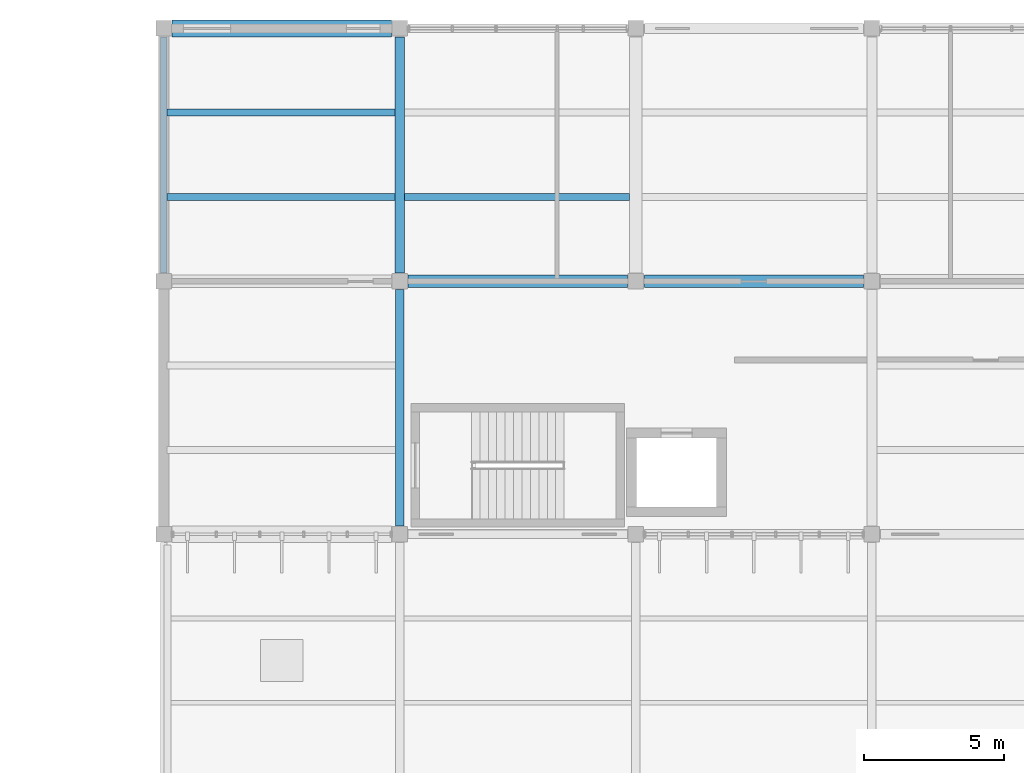
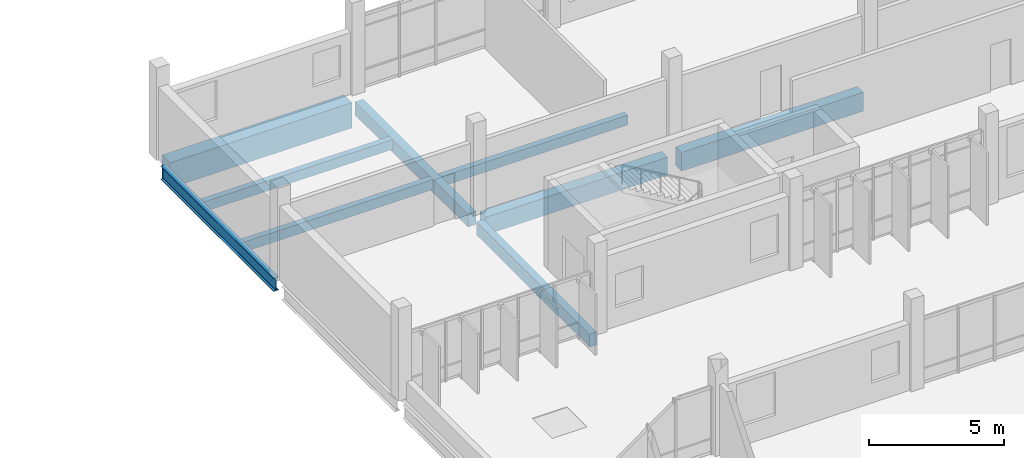
# One storey, part 59 of 130: 9 beams.
"""IFC4 building model written with IfcOpenShell, lengths in metres."""

from ifc_helpers import new_model, si_unit, direction, frame, origin, origin_2d, place, context, subcontext, project, spatial, rectangle, i_section, extrude, material, material_profile, profile_set, type_object, element, save


model = new_model("IFC4")

# Units and contexts
model_context = context("Model", 3, precision=1e-05, world=origin(), true_north=direction((0.0, 1.0)))
body_context = subcontext(model_context, "Body", "Model", "MODEL_VIEW")
ifc_project = project(units=[si_unit("LENGTHUNIT", "METRE"), si_unit("AREAUNIT", "SQUARE_METRE"), si_unit("VOLUMEUNIT", "CUBIC_METRE"), si_unit("PLANEANGLEUNIT", "RADIAN"), si_unit("MASSUNIT", "GRAM", prefix="KILO")], contexts=[model_context])

# Site, building, storey
site_placement = place(None, origin())
site = spatial("IfcSite", under=ifc_project, at=site_placement, CompositionType="ELEMENT")
building_placement = place(site_placement, origin())
building = spatial("IfcBuilding", under=site, at=building_placement, Name="Vireocrest Preparatory School", CompositionType="ELEMENT")
storey_placement = place(building_placement, frame((0.0, 0.0, 9.0)))
storey = spatial("IfcBuildingStorey", under=building, at=storey_placement, Name="L02", CompositionType="ELEMENT", Elevation=9.0)

# Beams
ifc_material_1 = material(Name="Structural steel ASTM A992 Grade 50", Category="steel")
ifc_material_profile_1 = material_profile(ifc_material_1, i_section(OverallWidth=0.22802734375, OverallDepth=0.60791015625, WebThickness=0.01123046875, FlangeThickness=0.017333984375, FilletRadius=0.01611328125, at=origin_2d()), Name="W24X76")
ifc_profile_set_1 = profile_set([ifc_material_profile_1], Name="Structural steel ASTM A992 Grade 50")
beam_type_1 = type_object("IfcBeamType", Name="Gallery Steel Girder W24X76", PredefinedType="BEAM", material=ifc_profile_set_1)
beam_1_placement = place(storey_placement, frame((42.0, 104.10009765625, -0.583984375), z_axis=(0.0, 1.0, 0.0), x_axis=(-1.0, 0.0, 0.0)))
element("IfcBeam", 1, at=beam_1_placement, inside=storey, type_object=beam_type_1, Name="Primary Girder SB3 L02-0797", PredefinedType="BEAM", context=body_context, shape_type="SweptSolid", body=[
    extrude(i_section(OverallWidth=0.22802734375, OverallDepth=0.60791015625, WebThickness=0.01123046875, FlangeThickness=0.017333984375, FilletRadius=0.01611328125, at=origin_2d()), origin(), (0.0, 0.0, 1.0), 8.39990234375),
])
ifc_material_2 = material(Name="Concrete 40 MPa", Category="concrete")
ifc_material_profile_2 = material_profile(ifc_material_2, rectangle(XDim=0.300048828125, YDim=0.60009765625, at=origin_2d()), Name="RC 300x600")
ifc_profile_set_2 = profile_set([ifc_material_profile_2], Name="Concrete 40 MPa")
beam_type_2 = type_object("IfcBeamType", Name="RC Classroom Beam 300x600", PredefinedType="BEAM", material=ifc_profile_set_2)
beam_2_placement = place(storey_placement, frame((50.39990234375, 95.10009765625, -0.580078125), z_axis=(0.0, 1.0, 0.0), x_axis=(-1.0, 0.0, 0.0)))
element("IfcBeam", 2, at=beam_2_placement, inside=storey, type_object=beam_type_2, Name="Primary Girder B03 L02-0806", PredefinedType="BEAM", context=body_context, shape_type="SweptSolid", body=[
    extrude(rectangle(XDim=0.300048828125, YDim=0.60009765625, at=origin_2d()), origin(), (0.0, 0.0, 1.0), 8.39990234375),
])
ifc_material_profile_3 = material_profile(ifc_material_2, rectangle(XDim=0.35009765625, YDim=0.60009765625, at=origin_2d()), Name="RC 350x600")
ifc_profile_set_3 = profile_set([ifc_material_profile_3], Name="Concrete 40 MPa")
beam_type_3 = type_object("IfcBeamType", Name="RC Classroom Girder 350x600", PredefinedType="BEAM", material=ifc_profile_set_3)
beam_3_placement = place(storey_placement, frame((50.39990234375, 104.10009765625, -0.580078125), z_axis=(0.0, 1.0, 0.0), x_axis=(-1.0, 0.0, 0.0)))
element("IfcBeam", 3, at=beam_3_placement, inside=storey, type_object=beam_type_3, Name="Primary Girder B04 L02-0807", PredefinedType="BEAM", context=body_context, shape_type="SweptSolid", body=[
    extrude(rectangle(XDim=0.35009765625, YDim=0.60009765625, at=origin_2d()), origin(), (0.0, 0.0, 1.0), 8.39990234375),
])
ifc_material_profile_4 = material_profile(ifc_material_2, rectangle(XDim=0.449951171875, YDim=0.85009765625, at=origin_2d()), Name="RC 450x850")
ifc_profile_set_4 = profile_set([ifc_material_profile_4], Name="Concrete 40 MPa")
beam_type_4 = type_object("IfcBeamType", Name="RC Heavy Floor Girder 450x850", PredefinedType="BEAM", material=ifc_profile_set_4)
beam_4_placement = place(storey_placement, frame((59.10009765625, 103.800048828125, -0.705078125), z_axis=(1.0, 0.0, 0.0), x_axis=(0.0, 1.0, 0.0)))
element("IfcBeam", 4, at=beam_4_placement, inside=storey, type_object=beam_type_4, Name="Primary Girder B13 L02-0767", PredefinedType="BEAM", context=body_context, shape_type="SweptSolid", body=[
    extrude(rectangle(XDim=0.449951171875, YDim=0.85009765625, at=origin_2d()), origin(), (0.0, 0.0, 1.0), 7.7998046875),
])
ifc_material_profile_5 = material_profile(ifc_material_2, rectangle(XDim=0.60009765625, YDim=1.14990234375, at=origin_2d()), Name="RC 600x1150")
ifc_profile_set_5 = profile_set([ifc_material_profile_5], Name="Concrete 40 MPa")
beam_type_5 = type_object("IfcBeamType", Name="RC Heavy Transfer Girder 600x1150", PredefinedType="BEAM", material=ifc_profile_set_5)
beam_5_placement = place(storey_placement, frame((42.300048828125, 112.800048828125, -0.85498046875), z_axis=(1.0, 0.0, 0.0), x_axis=(0.0, 1.0, 0.0)))
element("IfcBeam", 5, at=beam_5_placement, inside=storey, type_object=beam_type_5, Name="Primary Girder B20 L02-0774", PredefinedType="BEAM", context=body_context, shape_type="SweptSolid", body=[
    extrude(rectangle(XDim=0.60009765625, YDim=1.14990234375, at=origin_2d()), origin(), (0.0, 0.0, 1.0), 7.800048828125),
])
ifc_material_profile_6 = material_profile(ifc_material_2, rectangle(XDim=0.449951171875, YDim=0.800048828125, at=origin_2d()), Name="RC 450x800")
ifc_profile_set_6 = profile_set([ifc_material_profile_6], Name="Concrete 40 MPa")
beam_type_6 = type_object("IfcBeamType", Name="RC Library Stack Girder 450x800", PredefinedType="BEAM", material=ifc_profile_set_6)
beam_6_placement = place(storey_placement, frame((50.699951171875, 103.800048828125, -0.679931640625), z_axis=(1.0, 0.0, 0.0), x_axis=(0.0, 1.0, 0.0)))
element("IfcBeam", 6, at=beam_6_placement, inside=storey, type_object=beam_type_6, Name="Primary Girder B12 L02-0766", PredefinedType="BEAM", context=body_context, shape_type="SweptSolid", body=[
    extrude(rectangle(XDim=0.449951171875, YDim=0.800048828125, at=origin_2d()), origin(), (0.0, 0.0, 1.0), 7.800048828125),
])
ifc_material_profile_7 = material_profile(ifc_material_2, rectangle(XDim=0.25, YDim=0.449951171875, at=origin_2d()), Name="RC 250x450")
ifc_profile_set_7 = profile_set([ifc_material_profile_7], Name="Concrete 40 MPa")
beam_type_7 = type_object("IfcBeamType", Name="RC Secondary Floor Joist 250x450", PredefinedType="JOIST", material=ifc_profile_set_7)
for number, where, z_axis, x_axis, name in (
    (7, (42.114013671875, 106.800048828125, -0.5048828125), (1.0, 0.0, 0.0), (0.0, 1.0, 0.0), "Secondary Joist J01 L02-0908"),
    (8, (42.114013671875, 109.800048828125, -0.5048828125), (1.0, 0.0, 0.0), (0.0, 1.0, 0.0), "Secondary Joist J01 L02-0909"),
):
    element("IfcBeam", number, at=place(storey_placement, frame(where, z_axis=z_axis, x_axis=x_axis)), inside=storey, type_object=beam_type_7, Name=name, PredefinedType="JOIST", context=body_context, shape_type="SweptSolid", body=[
        extrude(rectangle(XDim=0.25, YDim=0.449951171875, at=origin_2d()), origin(), (0.0, 0.0, 1.0), 8.111083984375),
    ])
beam_7_placement = place(storey_placement, frame((50.574951171875, 106.800048828125, -0.5048828125), z_axis=(1.0, 0.0, 0.0), x_axis=(0.0, 1.0, 0.0)))
element("IfcBeam", 9, at=beam_7_placement, inside=storey, type_object=beam_type_7, Name="Secondary Joist J01 L02-0924", PredefinedType="JOIST", context=body_context, shape_type="SweptSolid", body=[
    extrude(rectangle(XDim=0.25, YDim=0.449951171875, at=origin_2d()), origin(), (0.0, 0.0, 1.0), 8.0),
])

save(model, "model.ifc")
